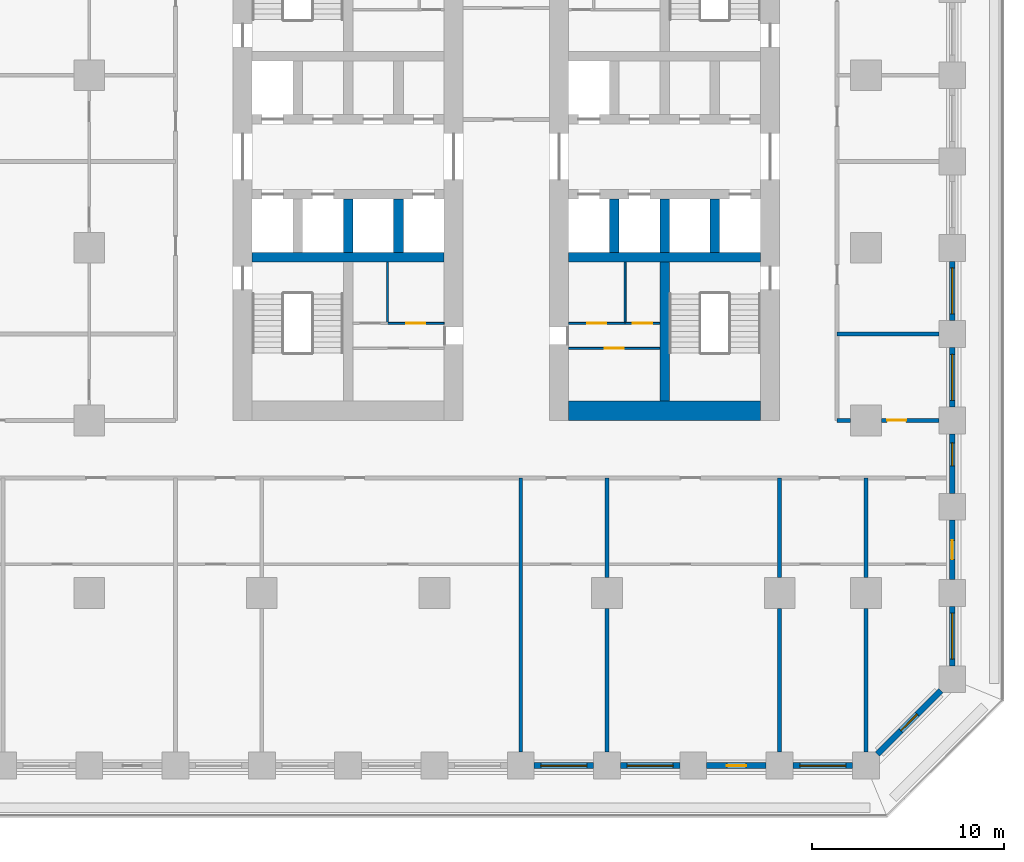
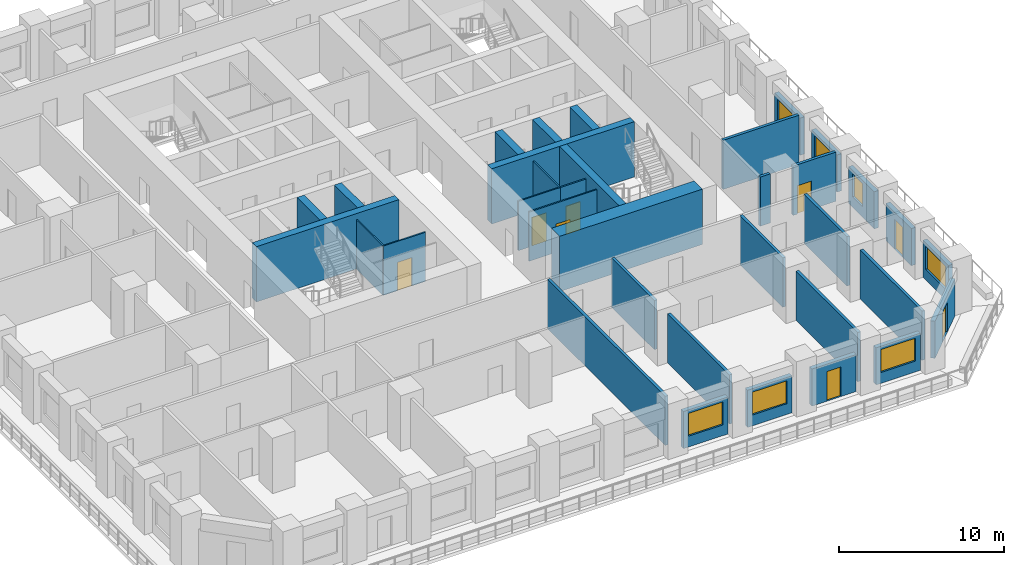
# One storey, part 4 of 12: 35 walls, 8 doors, 7 windows, 15 openings.
"""IFC4 building model written with IfcOpenShell, lengths in metres."""

import ifcopenshell
import ifcopenshell.guid

model = None  # the IFC model being written
_history = None  # IfcOwnerHistory: only IFC2X3 demands one
_inside = {}  # id of a spatial element -> (the spatial element, [elements in it])
_under = {}  # id of a project, library or spatial element -> (it, [spatial elements below it])
_declared = {}  # id of a project -> (the project, [libraries it declares])
_typed = {}  # id of a type object -> (the type object, [elements of that type])
_made_of = {}  # id of a material, layer set ... -> (it, [elements and type objects made of it])


def new_model(schema):
    """Start an empty IFC model of exactly this schema.

    Asked for "IFC4X3", IfcOpenShell would pick the latest addendum, in which some entities
    have other attributes; the version numbers below select the first issue.
    IFC2X3 requires an IfcOwnerHistory on every rooted entity: one is made here for all.
    """
    global model, _history
    if schema == "IFC4X3":
        model = ifcopenshell.file(schema_version=(4, 3, 0, 0))
    else:
        model = ifcopenshell.file(schema=schema)
    _inside.clear()
    _under.clear()
    _declared.clear()
    _typed.clear()
    _made_of.clear()
    _history = None
    if model.schema == "IFC2X3":
        org = make("IfcOrganization", Name="unknown")
        user = make(
            "IfcPersonAndOrganization",
            ThePerson=make("IfcPerson", FamilyName="unknown"),
            TheOrganization=org,
        )
        app = make(
            "IfcApplication",
            ApplicationDeveloper=org,
            Version="unknown",
            ApplicationFullName="unknown",
            ApplicationIdentifier="unknown",
        )
        _history = make(
            "IfcOwnerHistory",
            OwningUser=user,
            OwningApplication=app,
            ChangeAction="ADDED",
            CreationDate=0,
        )
    return model


def make(cls, **values):
    """One entity of the class cls with the attributes given. An attribute that is None is left unset."""
    return model.create_entity(
        cls, **{name: value for name, value in values.items() if value is not None}
    )


def rooted(cls, **values):
    """An entity with a GlobalId (a new one), such as an element, a storey or a relation."""
    return make(cls, GlobalId=ifcopenshell.guid.new(), OwnerHistory=_history, **values)


def si_unit(unit_type, name, prefix=None):
    """IfcSIUnit, for example si_unit("LENGTHUNIT", "METRE", prefix="MILLI")."""
    return make("IfcSIUnit", UnitType=unit_type, Prefix=prefix, Name=name)


def assignment(units):
    """IfcUnitAssignment: the units of a project."""
    return None if units is None else make("IfcUnitAssignment", Units=units)


def point(xyz):
    """IfcCartesianPoint."""
    return None if xyz is None else make("IfcCartesianPoint", Coordinates=xyz)


def direction(xyz):
    """IfcDirection."""
    return None if xyz is None else make("IfcDirection", DirectionRatios=xyz)


def frame(location, z_axis=None, x_axis=None):
    """IfcAxis2Placement3D, a coordinate frame: its origin and axes. An axis left out is left unset."""
    return make(
        "IfcAxis2Placement3D",
        Location=point(location),
        Axis=direction(z_axis),
        RefDirection=direction(x_axis),
    )


def frame_2d(location, x_axis=None):
    """IfcAxis2Placement2D, a coordinate frame in the plane: its origin and x axis."""
    return make(
        "IfcAxis2Placement2D", Location=point(location), RefDirection=direction(x_axis)
    )


def origin():
    """The frame at (0, 0, 0) with its axes left unset."""
    return frame((0.0, 0.0, 0.0))


def place(relative_to, where):
    """IfcLocalPlacement: puts the frame where relative to a parent placement (None: the world)."""
    return make(
        "IfcLocalPlacement", PlacementRelTo=relative_to, RelativePlacement=where
    )


def context(
    kind, dimensions, precision=None, world=None, true_north=None, identifier=None
):
    """IfcGeometricRepresentationContext, for example the 3D "Model" context."""
    return make(
        "IfcGeometricRepresentationContext",
        ContextIdentifier=identifier,
        ContextType=kind,
        CoordinateSpaceDimension=dimensions,
        Precision=precision,
        WorldCoordinateSystem=world,
        TrueNorth=true_north,
    )


def subcontext(parent, identifier, kind, view, scale=None):
    """IfcGeometricRepresentationSubContext, for example "Body" below "Model"."""
    return make(
        "IfcGeometricRepresentationSubContext",
        ContextIdentifier=identifier,
        ContextType=kind,
        ParentContext=parent,
        TargetScale=scale,
        TargetView=view,
    )


def project(units=None, contexts=None):
    """IfcProject with its units and contexts."""
    return rooted(
        "IfcProject",
        Name="project",
        RepresentationContexts=contexts,
        UnitsInContext=assignment(units),
    )


def spatial(cls, under=None, at=None, **own):
    """A site, building, storey or space (cls), placed at a placement, below another one or the project."""
    s = rooted(cls, ObjectPlacement=at, **own)
    if under is not None:
        _under.setdefault(under.id(), (under, []))[1].append(s)
    return s


def profile(cls, at=None, kind="AREA", **sizes):
    """A parametric profile (cls). Its sizes go by their IFC names, for example OverallWidth=200.0."""
    return make(cls, ProfileType=kind, Position=at, **sizes)


def rectangle(**sizes):
    """IfcRectangleProfileDef."""
    return profile("IfcRectangleProfileDef", **sizes)


def extrude(swept, where, along, depth):
    """IfcExtrudedAreaSolid: the profile swept, set in the frame where, extruded along a direction by depth."""
    return make(
        "IfcExtrudedAreaSolid",
        SweptArea=swept,
        Position=where,
        ExtrudedDirection=direction(along),
        Depth=depth,
    )


def shape(context_of_items, identifier, shape_type, items):
    """IfcShapeRepresentation: the items that make up one representation, for example the "Body"."""
    return make(
        "IfcShapeRepresentation",
        ContextOfItems=context_of_items,
        RepresentationIdentifier=identifier,
        RepresentationType=shape_type,
        Items=items,
    )


def material(Name=None, Category=None):
    """IfcMaterial."""
    return make("IfcMaterial", Name=Name, Category=Category)


def layer(
    of_material, thickness, ventilated=None, Name=None, Category=None, Priority=None
):
    """IfcMaterialLayer: one layer of a wall or slab, of a material (None: an air gap)."""
    return make(
        "IfcMaterialLayer",
        Material=of_material,
        LayerThickness=thickness,
        IsVentilated=ventilated,
        Name=Name,
        Category=Category,
        Priority=Priority,
    )


def layer_set(layers, Name=None):
    """IfcMaterialLayerSet."""
    return make("IfcMaterialLayerSet", MaterialLayers=layers, LayerSetName=Name)


def made_of(thing, what):
    """Note that an element or type object is made of a material, layer set ...; save() writes the relation."""
    if what is not None:
        _made_of.setdefault(what.id(), (what, []))[1].append(thing)
    return thing


def type_object(cls, material=None, **own):
    """A type object (cls), such as IfcWallType, which elements share."""
    return made_of(rooted(cls, **own), material)


def element(
    cls,
    number,
    at=None,
    inside=None,
    cuts=None,
    type_object=None,
    material=None,
    context=None,
    identifier="Body",
    shape_type=None,
    held_by="IfcProductDefinitionShape",
    body=None,
    shapes=None,
    **own,
):
    """One element of the class cls, such as IfcWall. Its Tag is "e" and its number.

    at: its placement. inside: the storey or other place that contains it. cuts: it is an
    opening in that element (IfcRelVoidsElement). A single representation is given by context,
    identifier, shape_type and body (its items); several are given by shapes. held_by: the class
    of the entity that holds the representations. save() writes the other relations.
    """
    e = rooted(cls, Tag="e%d" % number, ObjectPlacement=at, **own)
    if body is not None:
        shapes = [shape(context, identifier, shape_type, body)]
    if shapes is not None:
        e.Representation = make(held_by, Representations=shapes)
    if inside is not None:
        _inside.setdefault(inside.id(), (inside, []))[1].append(e)
    if cuts is not None:
        rooted(
            "IfcRelVoidsElement", RelatingBuildingElement=cuts, RelatedOpeningElement=e
        )
    if type_object is not None:
        _typed.setdefault(type_object.id(), (type_object, []))[1].append(e)
    return made_of(e, material)


def fill(opening, filler):
    """IfcRelFillsElement: the door or window that sits in an opening."""
    return rooted(
        "IfcRelFillsElement",
        RelatingOpeningElement=opening,
        RelatedBuildingElement=filler,
    )


def aggregate(whole, parts):
    """IfcRelAggregates: a whole, such as a stair, and the parts it consists of."""
    return rooted("IfcRelAggregates", RelatingObject=whole, RelatedObjects=parts)


def save(model, path):
    """Write the relations noted so far, then the file.

    IfcRelAggregates (storeys below a building ...), IfcRelContainedInSpatialStructure (elements
    in a storey), IfcRelDefinesByType, IfcRelAssociatesMaterial and IfcRelDeclares: one each for
    every whole, place, type object, material and project.
    """
    for whole, parts in _under.values():
        aggregate(whole, parts)
    for where, things in _inside.values():
        rooted(
            "IfcRelContainedInSpatialStructure",
            RelatedElements=things,
            RelatingStructure=where,
        )
    for kind, things in _typed.values():
        rooted("IfcRelDefinesByType", RelatedObjects=things, RelatingType=kind)
    for what, things in _made_of.values():
        rooted("IfcRelAssociatesMaterial", RelatedObjects=things, RelatingMaterial=what)
    for by, libraries in _declared.values():
        rooted("IfcRelDeclares", RelatingContext=by, RelatedDefinitions=libraries)
    model.write(path)


model = new_model("IFC4")

# Units and contexts
model_context = context("Model", 3, precision=1e-05, world=origin(), true_north=direction((0.0, 1.0)))
body_context = subcontext(model_context, "Body", "Model", "MODEL_VIEW")
ifc_project = project(units=[si_unit("LENGTHUNIT", "METRE"), si_unit("AREAUNIT", "SQUARE_METRE"), si_unit("VOLUMEUNIT", "CUBIC_METRE"), si_unit("PLANEANGLEUNIT", "RADIAN"), si_unit("MASSUNIT", "GRAM", prefix="KILO")], contexts=[model_context])

# Site, building, storey
site_placement = place(None, origin())
site = spatial("IfcSite", under=ifc_project, at=site_placement, CompositionType="ELEMENT")
building_placement = place(site_placement, origin())
building = spatial("IfcBuilding", under=site, at=building_placement, Name="Corbel Stack Research Tower", CompositionType="ELEMENT")
storey_placement = place(building_placement, frame((0.0, 0.0, 27.699951171875)))
storey = spatial("IfcBuildingStorey", under=building, at=storey_placement, Name="L06", CompositionType="ELEMENT", Elevation=27.699951171875)

# Walls
ifc_material_1 = material(Name="Concrete C70/85", Category="concrete")
ifc_layer_1 = layer(ifc_material_1, 1.0)
ifc_layer_set_1 = layer_set([ifc_layer_1], Name="Concrete C70/85")
wall_type_1 = type_object("IfcWallType", Name="CW-1000-70", PredefinedType="SHEAR", material=ifc_layer_set_1)
wall_1_placement = place(storey_placement, frame((7.0, -8.5, 0.0), z_axis=(0.0, 0.0, 1.0), x_axis=(1.0, 0.0, 0.0)))
element("IfcWall", 1, at=wall_1_placement, inside=storey, type_object=wall_type_1, Name="East core wall, south end L06", PredefinedType="SHEAR", context=body_context, shape_type="SweptSolid", body=[
    extrude(rectangle(XDim=10.0, YDim=1.0, at=frame_2d((5.0, 0.0))), origin(), (0.0, 0.0, 1.0), 4.10009765625),
])
ifc_material_2 = material(Name="Concrete C70/85", Category="concrete")
ifc_layer_2 = layer(ifc_material_2, 0.5)
ifc_layer_set_2 = layer_set([ifc_layer_2], Name="Concrete C70/85")
wall_type_2 = type_object("IfcWallType", Name="CW-500-70", PredefinedType="SHEAR", material=ifc_layer_set_2)
wall_2_placement = place(storey_placement, frame((-9.5, -0.5, 0.0), z_axis=(0.0, 0.0, 1.0), x_axis=(1.0, 0.0, 0.0)))
element("IfcWall", 2, at=wall_2_placement, inside=storey, type_object=wall_type_2, Name="West core wall, south row back L06", PredefinedType="SHEAR", context=body_context, shape_type="SweptSolid", body=[
    extrude(rectangle(XDim=10.0, YDim=0.5, at=frame_2d((5.0, 0.0))), origin(), (0.0, 0.0, 1.0), 4.10009765625),
])
for number, where, z_axis, x_axis, name in (
    (3, (-4.5, -0.25, 0.0), (0.0, 0.0, 1.0), (0.0, 1.0, 0.0), "West core wall, south shaft 2 L06"),
    (4, (-1.875, -0.25, 0.0), (0.0, 0.0, 1.0), (0.0, 1.0, 0.0), "West core wall, south shaft 3 L06"),
):
    element("IfcWall", number, at=place(storey_placement, frame(where, z_axis=z_axis, x_axis=x_axis)), inside=storey, type_object=wall_type_2, Name=name, PredefinedType="SHEAR", context=body_context, shape_type="SweptSolid", body=[
        extrude(rectangle(XDim=2.800048828125, YDim=0.5, at=frame_2d((1.39990234375, 0.0))), origin(), (0.0, 0.0, 1.0), 4.10009765625),
    ])
wall_3_placement = place(storey_placement, frame((7.0, -0.5, 0.0), z_axis=(0.0, 0.0, 1.0), x_axis=(1.0, 0.0, 0.0)))
element("IfcWall", 5, at=wall_3_placement, inside=storey, type_object=wall_type_2, Name="East core wall, south row back L06", PredefinedType="SHEAR", context=body_context, shape_type="SweptSolid", body=[
    extrude(rectangle(XDim=10.0, YDim=0.5, at=frame_2d((5.0, 0.0))), origin(), (0.0, 0.0, 1.0), 4.10009765625),
])
for number, where, z_axis, x_axis, name in (
    (6, (9.375, -0.25, 0.0), (0.0, 0.0, 1.0), (0.0, 1.0, 0.0), "East core wall, south shaft 1 L06"),
    (7, (12.0, -0.25, 0.0), (0.0, 0.0, 1.0), (0.0, 1.0, 0.0), "East core wall, south shaft 2 L06"),
    (8, (14.625, -0.25, 0.0), (0.0, 0.0, 1.0), (0.0, 1.0, 0.0), "East core wall, south shaft 3 L06"),
):
    element("IfcWall", number, at=place(storey_placement, frame(where, z_axis=z_axis, x_axis=x_axis)), inside=storey, type_object=wall_type_2, Name=name, PredefinedType="SHEAR", context=body_context, shape_type="SweptSolid", body=[
        extrude(rectangle(XDim=2.800048828125, YDim=0.5, at=frame_2d((1.39990234375, 0.0))), origin(), (0.0, 0.0, 1.0), 4.10009765625),
    ])
wall_4_placement = place(storey_placement, frame((12.0, -8.0, 0.0), z_axis=(0.0, 0.0, 1.0), x_axis=(0.0, 1.0, 0.0)))
element("IfcWall", 9, at=wall_4_placement, inside=storey, type_object=wall_type_2, Name="East core wall, south stair and WC L06", PredefinedType="SHEAR", context=body_context, shape_type="SweptSolid", body=[
    extrude(rectangle(XDim=7.25, YDim=0.5, at=frame_2d((3.625, 0.0))), origin(), (0.0, 0.0, 1.0), 4.10009765625),
])

# Wall, opening, door
ifc_material_3 = material(Name="Gypsum board")
ifc_layer_3 = layer(ifc_material_3, 0.10009765625)
ifc_layer_set_3 = layer_set([ifc_layer_3], Name="Gypsum board")
wall_type_3 = type_object("IfcWallType", Name="Core partition 100", PredefinedType="PARTITIONING", material=ifc_layer_set_3)
wall_5_placement = place(storey_placement, frame((-2.445068359375, -3.93994140625, 0.0), z_axis=(0.0, 0.0, 1.0), x_axis=(1.0, 0.0, 0.0)))
wall_5 = element("IfcWall", 10, at=wall_5_placement, inside=storey, type_object=wall_type_3, Name="Core partition W", PredefinedType="PARTITIONING", context=body_context, shape_type="SweptSolid", body=[
    extrude(rectangle(XDim=2.945068359375, YDim=0.10009765625, at=frame_2d((1.47265625, 0.0))), origin(), (0.0, 0.0, 1.0), 3.650146484375),
])
opening_1_placement = place(wall_5_placement, frame((0.972412109375, 0.0, 0.0)))
opening_1 = element("IfcOpeningElement", 11, at=opening_1_placement, cuts=wall_5, Name="Opening CR-W24-W3-1000", PredefinedType="OPENING", context=body_context, shape_type="SweptSolid", body=[
    extrude(rectangle(XDim=1.0, YDim=2.10009765625, at=frame_2d((0.5, 1.050048828125))), frame((0.0, 0.06005859375, 0.0), z_axis=(0.0, -1.0, 0.0), x_axis=(1.0, 0.0, 0.0)), (0.0, 0.0, 1.0), 0.1201171875),
])
ifc_material_4 = material(Name="Painted timber door", Category="wood")
door_type_1 = type_object("IfcDoorType", Name="WC door 1000 x 2100 left hand", OperationType="SINGLE_SWING_LEFT", PredefinedType="DOOR", material=ifc_material_4)
door_1_placement = place(opening_1_placement, origin())
door_1 = element("IfcDoor", 12, at=door_1_placement, inside=storey, type_object=door_type_1, Name="Women's WC door W core", OperationType="SINGLE_SWING_LEFT", OverallHeight=2.10009765625, OverallWidth=1.0, PredefinedType="DOOR", context=body_context, shape_type="SweptSolid", body=[
    extrude(rectangle(XDim=1.0, YDim=2.10009765625, at=frame_2d((0.5, 1.050048828125))), frame((0.0, 0.02490234375, 0.0), z_axis=(0.0, -1.0, 0.0), x_axis=(1.0, 0.0, 0.0)), (0.0, 0.0, 1.0), 0.050048828125),
])
fill(opening_1, door_1)

# Wall
wall_6_placement = place(storey_placement, frame((-2.445068359375, -3.93994140625, 0.0), z_axis=(0.0, 0.0, 1.0), x_axis=(0.0, 1.0, 0.0)))
element("IfcWall", 13, at=wall_6_placement, inside=storey, type_object=wall_type_3, Name="Core partition W", PredefinedType="PARTITIONING", context=body_context, shape_type="SweptSolid", body=[
    extrude(rectangle(XDim=3.18994140625, YDim=0.10009765625, at=frame_2d((1.594970703125, 0.0))), origin(), (0.0, 0.0, 1.0), 3.650146484375),
])

# Wall, opening, door
wall_7_placement = place(storey_placement, frame((7.0, -5.2451171875, 0.0), z_axis=(0.0, 0.0, 1.0), x_axis=(1.0, 0.0, 0.0)))
wall_7 = element("IfcWall", 14, at=wall_7_placement, inside=storey, type_object=wall_type_3, Name="Core partition E", PredefinedType="PARTITIONING", context=body_context, shape_type="SweptSolid", body=[
    extrude(rectangle(XDim=4.75, YDim=0.10009765625, at=frame_2d((2.375, 0.0))), origin(), (0.0, 0.0, 1.0), 3.650146484375),
])
opening_2_placement = place(wall_7_placement, frame((1.875, 0.0, 0.0)))
opening_2 = element("IfcOpeningElement", 15, at=opening_2_placement, cuts=wall_7, Name="Opening CR-E24-W2-1000", PredefinedType="OPENING", context=body_context, shape_type="SweptSolid", body=[
    extrude(rectangle(XDim=1.0, YDim=2.10009765625, at=frame_2d((0.5, 1.050048828125))), frame((0.0, 0.06005859375, 0.0), z_axis=(0.0, -1.0, 0.0), x_axis=(1.0, 0.0, 0.0)), (0.0, 0.0, 1.0), 0.1201171875),
])
door_2_placement = place(opening_2_placement, origin())
door_2 = element("IfcDoor", 16, at=door_2_placement, inside=storey, type_object=door_type_1, Name="Men's WC door E core", OperationType="SINGLE_SWING_LEFT", OverallHeight=2.10009765625, OverallWidth=1.0, PredefinedType="DOOR", context=body_context, shape_type="SweptSolid", body=[
    extrude(rectangle(XDim=1.0, YDim=2.10009765625, at=frame_2d((0.5, 1.050048828125))), frame((0.0, 0.02490234375, 0.0), z_axis=(0.0, -1.0, 0.0), x_axis=(1.0, 0.0, 0.0)), (0.0, 0.0, 1.0), 0.050048828125),
])
fill(opening_2, door_2)

wall_8_placement = place(storey_placement, frame((7.0, -3.93994140625, 0.0), z_axis=(0.0, 0.0, 1.0), x_axis=(1.0, 0.0, 0.0)))
wall_8 = element("IfcWall", 17, at=wall_8_placement, inside=storey, type_object=wall_type_3, Name="Core partition E", PredefinedType="PARTITIONING", context=body_context, shape_type="SweptSolid", body=[
    extrude(rectangle(XDim=2.945068359375, YDim=0.10009765625, at=frame_2d((1.47265625, 0.0))), origin(), (0.0, 0.0, 1.0), 3.650146484375),
])
opening_3_placement = place(wall_8_placement, frame((0.972412109375, 0.0, 0.0)))
opening_3 = element("IfcOpeningElement", 18, at=opening_3_placement, cuts=wall_8, Name="Opening CR-E24-W3-1000", PredefinedType="OPENING", context=body_context, shape_type="SweptSolid", body=[
    extrude(rectangle(XDim=1.0, YDim=2.10009765625, at=frame_2d((0.5, 1.050048828125))), frame((0.0, 0.06005859375, 0.0), z_axis=(0.0, -1.0, 0.0), x_axis=(1.0, 0.0, 0.0)), (0.0, 0.0, 1.0), 0.1201171875),
])
ifc_material_5 = material(Name="Painted timber door", Category="wood")
door_type_2 = type_object("IfcDoorType", Name="WC door 1000 x 2100 right hand", OperationType="SINGLE_SWING_RIGHT", PredefinedType="DOOR", material=ifc_material_5)
door_3_placement = place(opening_3_placement, origin())
door_3 = element("IfcDoor", 19, at=door_3_placement, inside=storey, type_object=door_type_2, Name="Women's WC door E core", OperationType="SINGLE_SWING_RIGHT", OverallHeight=2.10009765625, OverallWidth=1.0, PredefinedType="DOOR", context=body_context, shape_type="SweptSolid", body=[
    extrude(rectangle(XDim=1.0, YDim=2.10009765625, at=frame_2d((0.5, 1.050048828125))), frame((0.0, 0.02490234375, 0.0), z_axis=(0.0, -1.0, 0.0), x_axis=(1.0, 0.0, 0.0)), (0.0, 0.0, 1.0), 0.050048828125),
])
fill(opening_3, door_3)

wall_9_placement = place(storey_placement, frame((9.945068359375, -3.93994140625, 0.0), z_axis=(0.0, 0.0, 1.0), x_axis=(1.0, 0.0, 0.0)))
wall_9 = element("IfcWall", 20, at=wall_9_placement, inside=storey, type_object=wall_type_3, Name="Core partition E", PredefinedType="PARTITIONING", context=body_context, shape_type="SweptSolid", body=[
    extrude(rectangle(XDim=1.804931640625, YDim=0.10009765625, at=frame_2d((0.90234375, 0.0))), origin(), (0.0, 0.0, 1.0), 3.650146484375),
])
opening_4_placement = place(wall_9_placement, frame((0.402587890625, 0.0, 0.0)))
opening_4 = element("IfcOpeningElement", 21, at=opening_4_placement, cuts=wall_9, Name="Opening CR-E24-W4-1000", PredefinedType="OPENING", context=body_context, shape_type="SweptSolid", body=[
    extrude(rectangle(XDim=1.0, YDim=2.10009765625, at=frame_2d((0.5, 1.050048828125))), frame((0.0, 0.06005859375, 0.0), z_axis=(0.0, -1.0, 0.0), x_axis=(1.0, 0.0, 0.0)), (0.0, 0.0, 1.0), 0.1201171875),
])
door_4_placement = place(opening_4_placement, origin())
door_4 = element("IfcDoor", 22, at=door_4_placement, inside=storey, type_object=door_type_1, Name="Accessible WC door E core", OperationType="SINGLE_SWING_LEFT", OverallHeight=2.10009765625, OverallWidth=1.0, PredefinedType="DOOR", context=body_context, shape_type="SweptSolid", body=[
    extrude(rectangle(XDim=1.0, YDim=2.10009765625, at=frame_2d((0.5, 1.050048828125))), frame((0.0, 0.02490234375, 0.0), z_axis=(0.0, -1.0, 0.0), x_axis=(1.0, 0.0, 0.0)), (0.0, 0.0, 1.0), 0.050048828125),
])
fill(opening_4, door_4)

# Walls
wall_10_placement = place(storey_placement, frame((9.945068359375, -3.93994140625, 0.0), z_axis=(0.0, 0.0, 1.0), x_axis=(0.0, 1.0, 0.0)))
element("IfcWall", 23, at=wall_10_placement, inside=storey, type_object=wall_type_3, Name="Core partition E", PredefinedType="PARTITIONING", context=body_context, shape_type="SweptSolid", body=[
    extrude(rectangle(XDim=3.18994140625, YDim=0.10009765625, at=frame_2d((1.594970703125, 0.0))), origin(), (0.0, 0.0, 1.0), 3.650146484375),
])
ifc_material_6 = material(Name="Fire-rated gypsum board partition on steel studs", Category="steel")
ifc_layer_4 = layer(ifc_material_6, 0.199951171875)
ifc_layer_set_4 = layer_set([ifc_layer_4], Name="Fire-rated gypsum board partition on steel studs")
wall_type_4 = type_object("IfcWallType", Name="Fire-rated partition 200 EI 60", PredefinedType="PARTITIONING", material=ifc_layer_set_4)
wall_11_placement = place(storey_placement, frame((4.5, -26.300048828125, 0.0), z_axis=(0.0, 0.0, 1.0), x_axis=(0.0, 1.0, 0.0)))
element("IfcWall", 24, at=wall_11_placement, inside=storey, type_object=wall_type_4, Name="Partition L06-012", PredefinedType="PARTITIONING", context=body_context, shape_type="SweptSolid", body=[
    extrude(rectangle(XDim=14.300048828125, YDim=0.199951171875, at=frame_2d((7.14990234375, 0.0))), origin(), (0.0, 0.0, 1.0), 3.650146484375),
])
wall_12_placement = place(storey_placement, frame((9.0, -26.300048828125, 0.0), z_axis=(0.0, 0.0, 1.0), x_axis=(0.0, 1.0, 0.0)))
element("IfcWall", 25, at=wall_12_placement, inside=storey, type_object=wall_type_4, Name="Partition L06-014", PredefinedType="PARTITIONING", context=body_context, shape_type="SweptSolid", body=[
    extrude(rectangle(XDim=7.5, YDim=0.199951171875, at=frame_2d((3.75, 0.0))), origin(), (0.0, 0.0, 1.0), 3.650146484375),
])
wall_13_placement = place(storey_placement, frame((9.0, -17.199951171875, 0.0), z_axis=(0.0, 0.0, 1.0), x_axis=(0.0, 1.0, 0.0)))
element("IfcWall", 26, at=wall_13_placement, inside=storey, type_object=wall_type_4, Name="Partition L06-015", PredefinedType="PARTITIONING", context=body_context, shape_type="SweptSolid", body=[
    extrude(rectangle(XDim=5.199951171875, YDim=0.199951171875, at=frame_2d((2.60009765625, 0.0))), origin(), (0.0, 0.0, 1.0), 3.650146484375),
])
wall_14_placement = place(storey_placement, frame((18.0, -26.300048828125, 0.0), z_axis=(0.0, 0.0, 1.0), x_axis=(0.0, 1.0, 0.0)))
element("IfcWall", 27, at=wall_14_placement, inside=storey, type_object=wall_type_4, Name="Partition L06-017", PredefinedType="PARTITIONING", context=body_context, shape_type="SweptSolid", body=[
    extrude(rectangle(XDim=7.5, YDim=0.199951171875, at=frame_2d((3.75, 0.0))), origin(), (0.0, 0.0, 1.0), 3.650146484375),
])
wall_15_placement = place(storey_placement, frame((18.0, -17.199951171875, 0.0), z_axis=(0.0, 0.0, 1.0), x_axis=(0.0, 1.0, 0.0)))
element("IfcWall", 28, at=wall_15_placement, inside=storey, type_object=wall_type_4, Name="Partition L06-018", PredefinedType="PARTITIONING", context=body_context, shape_type="SweptSolid", body=[
    extrude(rectangle(XDim=5.199951171875, YDim=0.199951171875, at=frame_2d((2.60009765625, 0.0))), origin(), (0.0, 0.0, 1.0), 3.650146484375),
])
wall_16_placement = place(storey_placement, frame((22.5, -26.300048828125, 0.0), z_axis=(0.0, 0.0, 1.0), x_axis=(0.0, 1.0, 0.0)))
element("IfcWall", 29, at=wall_16_placement, inside=storey, type_object=wall_type_4, Name="Partition L06-021", PredefinedType="PARTITIONING", context=body_context, shape_type="SweptSolid", body=[
    extrude(rectangle(XDim=7.5, YDim=0.199951171875, at=frame_2d((3.75, 0.0))), origin(), (0.0, 0.0, 1.0), 3.650146484375),
])
wall_17_placement = place(storey_placement, frame((22.5, -17.199951171875, 0.0), z_axis=(0.0, 0.0, 1.0), x_axis=(0.0, 1.0, 0.0)))
element("IfcWall", 30, at=wall_17_placement, inside=storey, type_object=wall_type_4, Name="Partition L06-022", PredefinedType="PARTITIONING", context=body_context, shape_type="SweptSolid", body=[
    extrude(rectangle(XDim=5.199951171875, YDim=0.199951171875, at=frame_2d((2.60009765625, 0.0))), origin(), (0.0, 0.0, 1.0), 3.650146484375),
])
wall_18_placement = place(storey_placement, frame((21.0, -9.0, 0.0), z_axis=(0.0, 0.0, 1.0), x_axis=(1.0, 0.0, 0.0)))
element("IfcWall", 31, at=wall_18_placement, inside=storey, type_object=wall_type_4, Name="Partition L06-028", PredefinedType="PARTITIONING", context=body_context, shape_type="SweptSolid", body=[
    extrude(rectangle(XDim=0.699951171875, YDim=0.199951171875, at=frame_2d((0.35009765625, 0.0))), origin(), (0.0, 0.0, 1.0), 3.650146484375),
])

# Wall, opening, door
wall_19_placement = place(storey_placement, frame((23.300048828125, -9.0, 0.0), z_axis=(0.0, 0.0, 1.0), x_axis=(1.0, 0.0, 0.0)))
wall_19 = element("IfcWall", 32, at=wall_19_placement, inside=storey, type_object=wall_type_4, Name="Partition L06-029", PredefinedType="PARTITIONING", context=body_context, shape_type="SweptSolid", body=[
    extrude(rectangle(XDim=3.0, YDim=0.199951171875, at=frame_2d((1.5, 0.0))), origin(), (0.0, 0.0, 1.0), 3.650146484375),
])
opening_5_placement = place(wall_19_placement, frame((0.300048828125, 0.0, 0.0)))
opening_5 = element("IfcOpeningElement", 33, at=opening_5_placement, cuts=wall_19, Name="Opening B1V1-025", PredefinedType="OPENING", context=body_context, shape_type="SweptSolid", body=[
    extrude(rectangle(XDim=1.0, YDim=2.10009765625, at=frame_2d((0.5, 1.050048828125))), frame((0.0, 0.10986328125, 0.0), z_axis=(0.0, -1.0, 0.0), x_axis=(1.0, 0.0, 0.0)), (0.0, 0.0, 1.0), 0.219970703125),
])
ifc_material_7 = material(Name="Painted steel fire door", Category="steel")
door_type_3 = type_object("IfcDoorType", Name="Fire door FD30S 1000 x 2100", OperationType="NOTDEFINED", PredefinedType="DOOR", material=ifc_material_7)
door_5_placement = place(opening_5_placement, origin())
door_5 = element("IfcDoor", 34, at=door_5_placement, inside=storey, type_object=door_type_3, Name="Door B1V1-025", OperationType="SINGLE_SWING_LEFT", OverallHeight=2.10009765625, OverallWidth=1.0, PredefinedType="DOOR", context=body_context, shape_type="SweptSolid", body=[
    extrude(rectangle(XDim=1.0, YDim=2.10009765625, at=frame_2d((0.5, 1.050048828125))), frame((0.0, 0.02490234375, 0.0), z_axis=(0.0, -1.0, 0.0), x_axis=(1.0, 0.0, 0.0)), (0.0, 0.0, 1.0), 0.050048828125),
])
fill(opening_5, door_5)

# Wall
wall_20_placement = place(storey_placement, frame((21.0, -4.5, 0.0), z_axis=(0.0, 0.0, 1.0), x_axis=(1.0, 0.0, 0.0)))
element("IfcWall", 35, at=wall_20_placement, inside=storey, type_object=wall_type_4, Name="Partition L06-031", PredefinedType="PARTITIONING", context=body_context, shape_type="SweptSolid", body=[
    extrude(rectangle(XDim=5.300048828125, YDim=0.199951171875, at=frame_2d((2.64990234375, 0.0))), origin(), (0.0, 0.0, 1.0), 3.650146484375),
])

# Wall, opening, window
ifc_material_8 = material(Name="Concrete C45/55", Category="concrete")
ifc_layer_5 = layer(ifc_material_8, 0.300048828125)
ifc_layer_set_5 = layer_set([ifc_layer_5], Name="Concrete C45/55")
wall_type_5 = type_object("IfcWallType", Name="Terracotta-faced concrete wall 300", PredefinedType="SOLIDWALL", material=ifc_layer_set_5)
wall_21_placement = place(storey_placement, frame((8.300048828125, -27.0, 0.0), z_axis=(0.0, 0.0, 1.0), x_axis=(-1.0, 0.0, 0.0)))
wall_21 = element("IfcWall", 36, at=wall_21_placement, inside=storey, type_object=wall_type_5, Name="Facade wall L06 S07", PredefinedType="SOLIDWALL", context=body_context, shape_type="SweptSolid", body=[
    extrude(rectangle(XDim=3.10009765625, YDim=0.300048828125, at=frame_2d((1.550048828125, 0.0))), origin(), (0.0, 0.0, 1.0), 2.75),
])
opening_6_placement = place(wall_21_placement, frame((0.35009765625, 0.0, 0.800048828125)))
opening_6 = element("IfcOpeningElement", 37, at=opening_6_placement, cuts=wall_21, Name="Opening W1", PredefinedType="OPENING", context=body_context, shape_type="SweptSolid", body=[
    extrude(rectangle(XDim=2.39990234375, YDim=1.699951171875, at=frame_2d((1.199951171875, 0.85009765625))), frame((0.0, 0.159912109375, 0.0), z_axis=(0.0, -1.0, 0.0), x_axis=(1.0, 0.0, 0.0)), (0.0, 0.0, 1.0), 0.320068359375),
])
ifc_material_9 = material(Name="Aluminium frame, clear double glazing", Category="aluminium")
window_type_1 = type_object("IfcWindowType", Name="Window W1 2400 x 1700", PartitioningType="SINGLE_PANEL", PredefinedType="WINDOW", material=ifc_material_9)
window_1_placement = place(opening_6_placement, origin())
window_1 = element("IfcWindow", 38, at=window_1_placement, inside=storey, type_object=window_type_1, Name="Window W1 L06 S07", OverallHeight=1.699951171875, OverallWidth=2.39990234375, PartitioningType="SINGLE_PANEL", PredefinedType="WINDOW", context=body_context, shape_type="SweptSolid", body=[
    extrude(rectangle(XDim=2.39990234375, YDim=1.699951171875, at=frame_2d((1.199951171875, 0.85009765625))), frame((0.0, 0.030029296875, 0.0), z_axis=(0.0, -1.0, 0.0), x_axis=(1.0, 0.0, 0.0)), (0.0, 0.0, 1.0), 0.06005859375),
])
fill(opening_6, window_1)

wall_22_placement = place(storey_placement, frame((12.800048828125, -27.0, 0.0), z_axis=(0.0, 0.0, 1.0), x_axis=(-1.0, 0.0, 0.0)))
wall_22 = element("IfcWall", 39, at=wall_22_placement, inside=storey, type_object=wall_type_5, Name="Facade wall L06 S08", PredefinedType="SOLIDWALL", context=body_context, shape_type="SweptSolid", body=[
    extrude(rectangle(XDim=3.10009765625, YDim=0.300048828125, at=frame_2d((1.550048828125, 0.0))), origin(), (0.0, 0.0, 1.0), 2.75),
])
opening_7_placement = place(wall_22_placement, frame((0.35009765625, 0.0, 0.800048828125)))
opening_7 = element("IfcOpeningElement", 40, at=opening_7_placement, cuts=wall_22, Name="Opening W1", PredefinedType="OPENING", context=body_context, shape_type="SweptSolid", body=[
    extrude(rectangle(XDim=2.39990234375, YDim=1.699951171875, at=frame_2d((1.199951171875, 0.85009765625))), frame((0.0, 0.159912109375, 0.0), z_axis=(0.0, -1.0, 0.0), x_axis=(1.0, 0.0, 0.0)), (0.0, 0.0, 1.0), 0.320068359375),
])
window_2_placement = place(opening_7_placement, origin())
window_2 = element("IfcWindow", 41, at=window_2_placement, inside=storey, type_object=window_type_1, Name="Window W1 L06 S08", OverallHeight=1.699951171875, OverallWidth=2.39990234375, PartitioningType="SINGLE_PANEL", PredefinedType="WINDOW", context=body_context, shape_type="SweptSolid", body=[
    extrude(rectangle(XDim=2.39990234375, YDim=1.699951171875, at=frame_2d((1.199951171875, 0.85009765625))), frame((0.0, 0.030029296875, 0.0), z_axis=(0.0, -1.0, 0.0), x_axis=(1.0, 0.0, 0.0)), (0.0, 0.0, 1.0), 0.06005859375),
])
fill(opening_7, window_2)

# Wall, opening, door
wall_23_placement = place(storey_placement, frame((17.300048828125, -27.0, 0.0), z_axis=(0.0, 0.0, 1.0), x_axis=(-1.0, 0.0, 0.0)))
wall_23 = element("IfcWall", 42, at=wall_23_placement, inside=storey, type_object=wall_type_5, Name="Facade wall L06 S09", PredefinedType="SOLIDWALL", context=body_context, shape_type="SweptSolid", body=[
    extrude(rectangle(XDim=3.10009765625, YDim=0.300048828125, at=frame_2d((1.550048828125, 0.0))), origin(), (0.0, 0.0, 1.0), 2.75),
])
opening_8_placement = place(wall_23_placement, frame((1.050048828125, 0.0, 0.0)))
opening_8 = element("IfcOpeningElement", 43, at=opening_8_placement, cuts=wall_23, Name="Opening L06-B02", PredefinedType="OPENING", context=body_context, shape_type="SweptSolid", body=[
    extrude(rectangle(XDim=1.0, YDim=2.199951171875, at=frame_2d((0.5, 1.10009765625))), frame((0.0, 0.159912109375, 0.0), z_axis=(0.0, -1.0, 0.0), x_axis=(1.0, 0.0, 0.0)), (0.0, 0.0, 1.0), 0.320068359375),
])
ifc_material_10 = material(Name="Aluminium frame, clear double glazing", Category="aluminium")
door_type_4 = type_object("IfcDoorType", Name="Balcony door BD1 1000 x 2200", OperationType="NOTDEFINED", PredefinedType="DOOR", material=ifc_material_10)
door_6_placement = place(opening_8_placement, origin())
door_6 = element("IfcDoor", 44, at=door_6_placement, inside=storey, type_object=door_type_4, Name="Balcony door L06-B02", OperationType="SINGLE_SWING_LEFT", OverallHeight=2.199951171875, OverallWidth=1.0, PredefinedType="DOOR", context=body_context, shape_type="SweptSolid", body=[
    extrude(rectangle(XDim=1.0, YDim=2.199951171875, at=frame_2d((0.5, 1.10009765625))), frame((0.0, 0.02490234375, 0.0), z_axis=(0.0, -1.0, 0.0), x_axis=(1.0, 0.0, 0.0)), (0.0, 0.0, 1.0), 0.050048828125),
])
fill(opening_8, door_6)

# Wall, opening, window
wall_24_placement = place(storey_placement, frame((21.800048828125, -27.0, 0.0), z_axis=(0.0, 0.0, 1.0), x_axis=(-1.0, 0.0, 0.0)))
wall_24 = element("IfcWall", 45, at=wall_24_placement, inside=storey, type_object=wall_type_5, Name="Facade wall L06 S10", PredefinedType="SOLIDWALL", context=body_context, shape_type="SweptSolid", body=[
    extrude(rectangle(XDim=3.10009765625, YDim=0.300048828125, at=frame_2d((1.550048828125, 0.0))), origin(), (0.0, 0.0, 1.0), 2.75),
])
opening_9_placement = place(wall_24_placement, frame((0.35009765625, 0.0, 0.800048828125)))
opening_9 = element("IfcOpeningElement", 46, at=opening_9_placement, cuts=wall_24, Name="Opening W1", PredefinedType="OPENING", context=body_context, shape_type="SweptSolid", body=[
    extrude(rectangle(XDim=2.39990234375, YDim=1.699951171875, at=frame_2d((1.199951171875, 0.85009765625))), frame((0.0, 0.159912109375, 0.0), z_axis=(0.0, -1.0, 0.0), x_axis=(1.0, 0.0, 0.0)), (0.0, 0.0, 1.0), 0.320068359375),
])
window_3_placement = place(opening_9_placement, origin())
window_3 = element("IfcWindow", 47, at=window_3_placement, inside=storey, type_object=window_type_1, Name="Window W1 L06 S10", OverallHeight=1.699951171875, OverallWidth=2.39990234375, PartitioningType="SINGLE_PANEL", PredefinedType="WINDOW", context=body_context, shape_type="SweptSolid", body=[
    extrude(rectangle(XDim=2.39990234375, YDim=1.699951171875, at=frame_2d((1.199951171875, 0.85009765625))), frame((0.0, 0.030029296875, 0.0), z_axis=(0.0, -1.0, 0.0), x_axis=(1.0, 0.0, 0.0)), (0.0, 0.0, 1.0), 0.06005859375),
])
fill(opening_9, window_3)

# Wall, opening, door
wall_25_placement = place(storey_placement, frame((26.406005859375, -23.093994140625, 0.0), z_axis=(0.0, 0.0, 1.0), x_axis=(-0.707106781187, -0.707106781187, 0.0)))
wall_25 = element("IfcWall", 48, at=wall_25_placement, inside=storey, type_object=wall_type_5, Name="Facade wall L06 SE01", PredefinedType="SOLIDWALL", context=body_context, shape_type="SweptSolid", body=[
    extrude(rectangle(XDim=4.683837890625, YDim=0.300048828125, at=frame_2d((2.341796875, 0.0))), origin(), (0.0, 0.0, 1.0), 2.75),
])
opening_10_placement = place(wall_25_placement, frame((1.741943359375, 0.0, 0.0)))
opening_10 = element("IfcOpeningElement", 49, at=opening_10_placement, cuts=wall_25, Name="Opening L06-B03", PredefinedType="OPENING", context=body_context, shape_type="SweptSolid", body=[
    extrude(rectangle(XDim=1.199951171875, YDim=2.199951171875, at=frame_2d((0.60009765625, 1.10009765625))), frame((0.0, 0.159912109375, 0.0), z_axis=(0.0, -1.0, 0.0), x_axis=(1.0, 0.0, 0.0)), (0.0, 0.0, 1.0), 0.320068359375),
])
ifc_material_11 = material(Name="Aluminium frame, clear double glazing", Category="aluminium")
door_type_5 = type_object("IfcDoorType", Name="Balcony door BD2 1200 x 2200", OperationType="NOTDEFINED", PredefinedType="DOOR", material=ifc_material_11)
door_7_placement = place(opening_10_placement, origin())
door_7 = element("IfcDoor", 50, at=door_7_placement, inside=storey, type_object=door_type_5, Name="Balcony door L06-B03", OperationType="SINGLE_SWING_LEFT", OverallHeight=2.199951171875, OverallWidth=1.199951171875, PredefinedType="DOOR", context=body_context, shape_type="SweptSolid", body=[
    extrude(rectangle(XDim=1.199951171875, YDim=2.199951171875, at=frame_2d((0.60009765625, 1.10009765625))), frame((0.0, 0.02490234375, 0.0), z_axis=(0.0, -1.0, 0.0), x_axis=(1.0, 0.0, 0.0)), (0.0, 0.0, 1.0), 0.050048828125),
])
fill(opening_10, door_7)

# Wall, opening, window
wall_26_placement = place(storey_placement, frame((27.0, -18.699951171875, 0.0), z_axis=(0.0, 0.0, 1.0), x_axis=(0.0, -1.0, 0.0)))
wall_26 = element("IfcWall", 51, at=wall_26_placement, inside=storey, type_object=wall_type_5, Name="Facade wall L06 E01", PredefinedType="SOLIDWALL", context=body_context, shape_type="SweptSolid", body=[
    extrude(rectangle(XDim=3.10009765625, YDim=0.300048828125, at=frame_2d((1.550048828125, 0.0))), origin(), (0.0, 0.0, 1.0), 2.75),
])
opening_11_placement = place(wall_26_placement, frame((0.35009765625, 0.0, 0.800048828125)))
opening_11 = element("IfcOpeningElement", 52, at=opening_11_placement, cuts=wall_26, Name="Opening W1", PredefinedType="OPENING", context=body_context, shape_type="SweptSolid", body=[
    extrude(rectangle(XDim=2.39990234375, YDim=1.699951171875, at=frame_2d((1.199951171875, 0.85009765625))), frame((0.0, 0.159912109375, 0.0), z_axis=(0.0, -1.0, 0.0), x_axis=(1.0, 0.0, 0.0)), (0.0, 0.0, 1.0), 0.320068359375),
])
window_4_placement = place(opening_11_placement, origin())
window_4 = element("IfcWindow", 53, at=window_4_placement, inside=storey, type_object=window_type_1, Name="Window W1 L06 E01", OverallHeight=1.699951171875, OverallWidth=2.39990234375, PartitioningType="SINGLE_PANEL", PredefinedType="WINDOW", context=body_context, shape_type="SweptSolid", body=[
    extrude(rectangle(XDim=2.39990234375, YDim=1.699951171875, at=frame_2d((1.199951171875, 0.85009765625))), frame((0.0, 0.030029296875, 0.0), z_axis=(0.0, -1.0, 0.0), x_axis=(1.0, 0.0, 0.0)), (0.0, 0.0, 1.0), 0.06005859375),
])
fill(opening_11, window_4)

# Wall, opening, door
wall_27_placement = place(storey_placement, frame((27.0, -14.199951171875, 0.0), z_axis=(0.0, 0.0, 1.0), x_axis=(0.0, -1.0, 0.0)))
wall_27 = element("IfcWall", 54, at=wall_27_placement, inside=storey, type_object=wall_type_5, Name="Facade wall L06 E02", PredefinedType="SOLIDWALL", context=body_context, shape_type="SweptSolid", body=[
    extrude(rectangle(XDim=3.10009765625, YDim=0.300048828125, at=frame_2d((1.550048828125, 0.0))), origin(), (0.0, 0.0, 1.0), 2.75),
])
opening_12_placement = place(wall_27_placement, frame((1.050048828125, 0.0, 0.0)))
opening_12 = element("IfcOpeningElement", 55, at=opening_12_placement, cuts=wall_27, Name="Opening L06-B04", PredefinedType="OPENING", context=body_context, shape_type="SweptSolid", body=[
    extrude(rectangle(XDim=1.0, YDim=2.199951171875, at=frame_2d((0.5, 1.10009765625))), frame((0.0, 0.159912109375, 0.0), z_axis=(0.0, -1.0, 0.0), x_axis=(1.0, 0.0, 0.0)), (0.0, 0.0, 1.0), 0.320068359375),
])
door_8_placement = place(opening_12_placement, origin())
door_8 = element("IfcDoor", 56, at=door_8_placement, inside=storey, type_object=door_type_4, Name="Balcony door L06-B04", OperationType="SINGLE_SWING_RIGHT", OverallHeight=2.199951171875, OverallWidth=1.0, PredefinedType="DOOR", context=body_context, shape_type="SweptSolid", body=[
    extrude(rectangle(XDim=1.0, YDim=2.199951171875, at=frame_2d((0.5, 1.10009765625))), frame((0.0, 0.02490234375, 0.0), z_axis=(0.0, -1.0, 0.0), x_axis=(1.0, 0.0, 0.0)), (0.0, 0.0, 1.0), 0.050048828125),
])
fill(opening_12, door_8)

# Wall, opening, window
wall_28_placement = place(storey_placement, frame((27.0, -9.699951171875, 0.0), z_axis=(0.0, 0.0, 1.0), x_axis=(0.0, -1.0, 0.0)))
wall_28 = element("IfcWall", 57, at=wall_28_placement, inside=storey, type_object=wall_type_5, Name="Facade wall L06 E03", PredefinedType="SOLIDWALL", context=body_context, shape_type="SweptSolid", body=[
    extrude(rectangle(XDim=3.10009765625, YDim=0.300048828125, at=frame_2d((1.550048828125, 0.0))), origin(), (0.0, 0.0, 1.0), 2.75),
])
opening_13_placement = place(wall_28_placement, frame((0.47509765625, 0.0, 0.800048828125)))
opening_13 = element("IfcOpeningElement", 58, at=opening_13_placement, cuts=wall_28, Name="Opening W2", PredefinedType="OPENING", context=body_context, shape_type="SweptSolid", body=[
    extrude(rectangle(XDim=1.199951171875, YDim=1.699951171875, at=frame_2d((0.60009765625, 0.85009765625))), frame((0.0, 0.159912109375, 0.0), z_axis=(0.0, -1.0, 0.0), x_axis=(1.0, 0.0, 0.0)), (0.0, 0.0, 1.0), 0.320068359375),
])
ifc_material_12 = material(Name="Aluminium frame, clear double glazing", Category="aluminium")
window_type_2 = type_object("IfcWindowType", Name="Window W2 1200 x 1700", PartitioningType="SINGLE_PANEL", PredefinedType="WINDOW", material=ifc_material_12)
window_5_placement = place(opening_13_placement, origin())
window_5 = element("IfcWindow", 59, at=window_5_placement, inside=storey, type_object=window_type_2, Name="Window W2 L06 E03", OverallHeight=1.699951171875, OverallWidth=1.199951171875, PartitioningType="SINGLE_PANEL", PredefinedType="WINDOW", context=body_context, shape_type="SweptSolid", body=[
    extrude(rectangle(XDim=1.199951171875, YDim=1.699951171875, at=frame_2d((0.60009765625, 0.85009765625))), frame((0.0, 0.030029296875, 0.0), z_axis=(0.0, -1.0, 0.0), x_axis=(1.0, 0.0, 0.0)), (0.0, 0.0, 1.0), 0.06005859375),
])
fill(opening_13, window_5)

wall_29_placement = place(storey_placement, frame((27.0, -5.199951171875, 0.0), z_axis=(0.0, 0.0, 1.0), x_axis=(0.0, -1.0, 0.0)))
wall_29 = element("IfcWall", 60, at=wall_29_placement, inside=storey, type_object=wall_type_5, Name="Facade wall L06 E04", PredefinedType="SOLIDWALL", context=body_context, shape_type="SweptSolid", body=[
    extrude(rectangle(XDim=3.10009765625, YDim=0.300048828125, at=frame_2d((1.550048828125, 0.0))), origin(), (0.0, 0.0, 1.0), 2.75),
])
opening_14_placement = place(wall_29_placement, frame((0.35009765625, 0.0, 0.800048828125)))
opening_14 = element("IfcOpeningElement", 61, at=opening_14_placement, cuts=wall_29, Name="Opening W1", PredefinedType="OPENING", context=body_context, shape_type="SweptSolid", body=[
    extrude(rectangle(XDim=2.39990234375, YDim=1.699951171875, at=frame_2d((1.199951171875, 0.85009765625))), frame((0.0, 0.159912109375, 0.0), z_axis=(0.0, -1.0, 0.0), x_axis=(1.0, 0.0, 0.0)), (0.0, 0.0, 1.0), 0.320068359375),
])
window_6_placement = place(opening_14_placement, origin())
window_6 = element("IfcWindow", 62, at=window_6_placement, inside=storey, type_object=window_type_1, Name="Window W1 L06 E04", OverallHeight=1.699951171875, OverallWidth=2.39990234375, PartitioningType="SINGLE_PANEL", PredefinedType="WINDOW", context=body_context, shape_type="SweptSolid", body=[
    extrude(rectangle(XDim=2.39990234375, YDim=1.699951171875, at=frame_2d((1.199951171875, 0.85009765625))), frame((0.0, 0.030029296875, 0.0), z_axis=(0.0, -1.0, 0.0), x_axis=(1.0, 0.0, 0.0)), (0.0, 0.0, 1.0), 0.06005859375),
])
fill(opening_14, window_6)

wall_30_placement = place(storey_placement, frame((27.0, -0.699951171875, 0.0), z_axis=(0.0, 0.0, 1.0), x_axis=(0.0, -1.0, 0.0)))
wall_30 = element("IfcWall", 63, at=wall_30_placement, inside=storey, type_object=wall_type_5, Name="Facade wall L06 E05", PredefinedType="SOLIDWALL", context=body_context, shape_type="SweptSolid", body=[
    extrude(rectangle(XDim=3.10009765625, YDim=0.300048828125, at=frame_2d((1.550048828125, 0.0))), origin(), (0.0, 0.0, 1.0), 2.75),
])
opening_15_placement = place(wall_30_placement, frame((0.35009765625, 0.0, 0.800048828125)))
opening_15 = element("IfcOpeningElement", 64, at=opening_15_placement, cuts=wall_30, Name="Opening W1", PredefinedType="OPENING", context=body_context, shape_type="SweptSolid", body=[
    extrude(rectangle(XDim=2.39990234375, YDim=1.699951171875, at=frame_2d((1.199951171875, 0.85009765625))), frame((0.0, 0.159912109375, 0.0), z_axis=(0.0, -1.0, 0.0), x_axis=(1.0, 0.0, 0.0)), (0.0, 0.0, 1.0), 0.320068359375),
])
window_7_placement = place(opening_15_placement, origin())
window_7 = element("IfcWindow", 65, at=window_7_placement, inside=storey, type_object=window_type_1, Name="Window W1 L06 E05", OverallHeight=1.699951171875, OverallWidth=2.39990234375, PartitioningType="SINGLE_PANEL", PredefinedType="WINDOW", context=body_context, shape_type="SweptSolid", body=[
    extrude(rectangle(XDim=2.39990234375, YDim=1.699951171875, at=frame_2d((1.199951171875, 0.85009765625))), frame((0.0, 0.030029296875, 0.0), z_axis=(0.0, -1.0, 0.0), x_axis=(1.0, 0.0, 0.0)), (0.0, 0.0, 1.0), 0.06005859375),
])
fill(opening_15, window_7)

save(model, "model.ifc")
